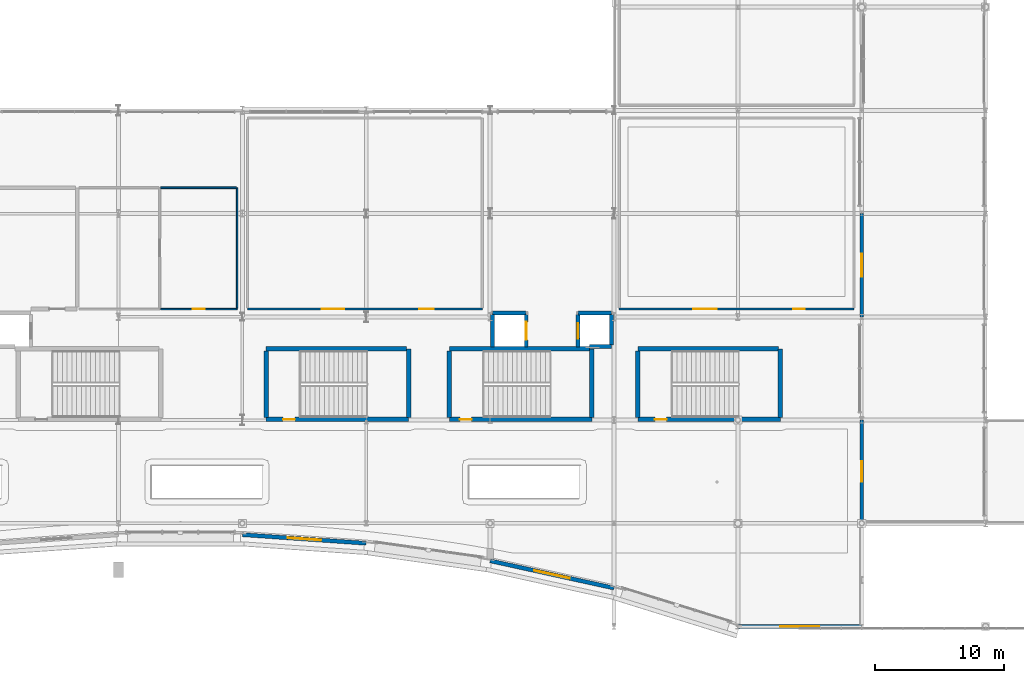
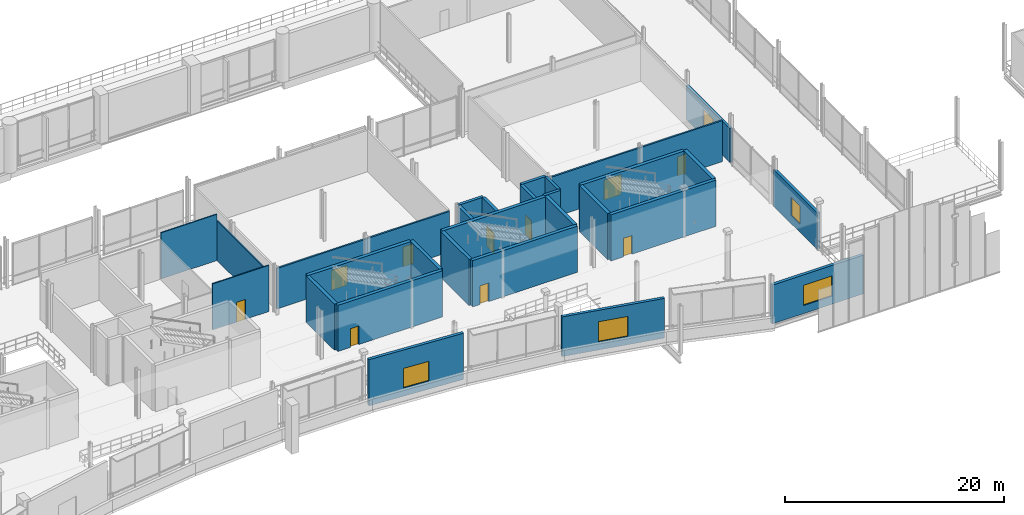
# One storey, part 77 of 129: 29 walls, 10 doors, 5 windows, 15 openings.
"""IFC4 building model written with IfcOpenShell, lengths in metres."""

from ifc_helpers import new_model, si_unit, direction, frame, frame_2d, origin, place, context, subcontext, project, spatial, rectangle, extrude, material, layer, layer_set, type_object, element, fill, save


model = new_model("IFC4")

# Units and contexts
model_context = context("Model", 3, precision=1e-05, world=origin(), true_north=direction((0.0, 1.0)))
body_context = subcontext(model_context, "Body", "Model", "MODEL_VIEW")
ifc_project = project(units=[si_unit("LENGTHUNIT", "METRE"), si_unit("AREAUNIT", "SQUARE_METRE"), si_unit("VOLUMEUNIT", "CUBIC_METRE"), si_unit("PLANEANGLEUNIT", "RADIAN"), si_unit("MASSUNIT", "GRAM", prefix="KILO")], contexts=[model_context])

# Site, building, storey
site_placement = place(None, origin())
site = spatial("IfcSite", under=ifc_project, at=site_placement, CompositionType="ELEMENT")
building_placement = place(site_placement, origin())
building = spatial("IfcBuilding", under=site, at=building_placement, Name="Danafjord Basin Convention Centre", CompositionType="ELEMENT")
storey_placement = place(building_placement, frame((0.0, 0.0, 6.0)))
storey = spatial("IfcBuildingStorey", under=building, at=storey_placement, Name="L01", CompositionType="ELEMENT", Elevation=6.0)

# Wall
ifc_material_1 = material(Name="Concrete C40/50", Category="concrete")
ifc_layer_1 = layer(ifc_material_1, 0.300048828125)
ifc_layer_set_1 = layer_set([ifc_layer_1], Name="Concrete C40/50")
wall_type_1 = type_object("IfcWallType", Name="WALL-CW-CORE300", PredefinedType="SHEAR", material=ifc_layer_set_1)
wall_1_placement = place(storey_placement, frame((89.199951171875, 24.300048828125, 0.0), z_axis=(0.0, 0.0, 1.0), x_axis=(-1.0, 0.0, 0.0)))
element("IfcWall", 1, at=wall_1_placement, inside=storey, type_object=wall_type_1, Name="Lift LF-FF02 shaft shear wall", PredefinedType="SHEAR", context=body_context, shape_type="SweptSolid", body=[
    extrude(rectangle(XDim=2.599853515625, YDim=0.300048828125, at=frame_2d((1.2998046875, 0.0))), origin(), (0.0, 0.0, 1.0), 5.14990234375),
])

# Wall, opening, door
wall_2_placement = place(storey_placement, frame((89.199951171875, 21.6650390625, 0.0), z_axis=(0.0, 0.0, 1.0), x_axis=(0.0, 1.0, 0.0)))
wall_2 = element("IfcWall", 2, at=wall_2_placement, inside=storey, type_object=wall_type_1, Name="Lift LF-FF02 shaft shear wall", PredefinedType="SHEAR", context=body_context, shape_type="SweptSolid", body=[
    extrude(rectangle(XDim=2.5, YDim=0.300048828125, at=frame_2d((1.25, 0.0))), origin(), (0.0, 0.0, 1.0), 5.14990234375),
])
opening_1_placement = place(wall_2_placement, frame((0.550048828125, 0.0, 0.0)))
opening_1 = element("IfcOpeningElement", 3, at=opening_1_placement, cuts=wall_2, Name="Opening LD-F01", PredefinedType="OPENING", context=body_context, shape_type="SweptSolid", body=[
    extrude(rectangle(XDim=1.39990234375, YDim=2.260009765625, at=frame_2d((0.699951171875, 1.1298828125))), frame((0.0, 0.159912109375, 0.0), z_axis=(0.0, -1.0, 0.0), x_axis=(1.0, 0.0, 0.0)), (0.0, 0.0, 1.0), 0.320068359375),
])
ifc_material_2 = material(Name="Brushed stainless steel and acoustic laminated glass", Category="steel")
door_type_1 = type_object("IfcDoorType", Name="DOOR-LD-F01", OperationType="DOUBLE_DOOR_SLIDING", PredefinedType="DOOR", material=ifc_material_2)
door_1_placement = place(opening_1_placement, origin())
door_1 = element("IfcDoor", 4, at=door_1_placement, inside=storey, type_object=door_type_1, Name="Lift LF-FF02 L01 Landing Door", OperationType="DOUBLE_DOOR_SLIDING", OverallHeight=2.260009765625, OverallWidth=1.39990234375, PredefinedType="DOOR", context=body_context, shape_type="SweptSolid", body=[
    extrude(rectangle(XDim=1.39990234375, YDim=2.260009765625, at=frame_2d((0.699951171875, 1.1298828125))), frame((0.0, 0.02490234375, 0.0), z_axis=(0.0, -1.0, 0.0), x_axis=(1.0, 0.0, 0.0)), (0.0, 0.0, 1.0), 0.050048828125),
])
fill(opening_1, door_1)

# Walls
wall_3_placement = place(storey_placement, frame((86.60009765625, 24.1650390625, 0.0), z_axis=(0.0, 0.0, 1.0), x_axis=(0.0, -1.0, 0.0)))
element("IfcWall", 5, at=wall_3_placement, inside=storey, type_object=wall_type_1, Name="Lift LF-FF02 shaft shear wall", PredefinedType="SHEAR", context=body_context, shape_type="SweptSolid", body=[
    extrude(rectangle(XDim=2.5, YDim=0.300048828125, at=frame_2d((1.25, 0.0))), origin(), (0.0, 0.0, 1.0), 5.14990234375),
])
wall_4_placement = place(storey_placement, frame((95.800048828125, 24.300048828125, 0.0), z_axis=(0.0, 0.0, 1.0), x_axis=(-1.0, 0.0, 0.0)))
element("IfcWall", 6, at=wall_4_placement, inside=storey, type_object=wall_type_1, Name="Lift LF-P02 shaft shear wall", PredefinedType="SHEAR", context=body_context, shape_type="SweptSolid", body=[
    extrude(rectangle(XDim=2.60009765625, YDim=0.300048828125, at=frame_2d((1.300048828125, 0.0))), origin(), (0.0, 0.0, 1.0), 5.14990234375),
])
wall_5_placement = place(storey_placement, frame((94.110107421875, 21.699951171875, 0.0), z_axis=(0.0, 0.0, 1.0), x_axis=(1.0, 0.0, 0.0)))
element("IfcWall", 7, at=wall_5_placement, inside=storey, type_object=wall_type_1, Name="Lift LF-P02 shaft shear wall", PredefinedType="SHEAR", context=body_context, shape_type="SweptSolid", body=[
    extrude(rectangle(XDim=1.68994140625, YDim=0.300048828125, at=frame_2d((0.844970703125, 0.0))), origin(), (0.0, 0.0, 1.0), 5.14990234375),
])
wall_6_placement = place(storey_placement, frame((95.800048828125, 21.8349609375, 0.0), z_axis=(0.0, 0.0, 1.0), x_axis=(0.0, 1.0, 0.0)))
element("IfcWall", 8, at=wall_6_placement, inside=storey, type_object=wall_type_1, Name="Lift LF-P02 shaft shear wall", PredefinedType="SHEAR", context=body_context, shape_type="SweptSolid", body=[
    extrude(rectangle(XDim=2.330078125, YDim=0.300048828125, at=frame_2d((1.1650390625, 0.0))), origin(), (0.0, 0.0, 1.0), 5.14990234375),
])

# Wall, opening, door
wall_7_placement = place(storey_placement, frame((93.199951171875, 24.1650390625, 0.0), z_axis=(0.0, 0.0, 1.0), x_axis=(0.0, -1.0, 0.0)))
wall_7 = element("IfcWall", 9, at=wall_7_placement, inside=storey, type_object=wall_type_1, Name="Lift LF-P02 shaft shear wall", PredefinedType="SHEAR", context=body_context, shape_type="SweptSolid", body=[
    extrude(rectangle(XDim=2.5, YDim=0.300048828125, at=frame_2d((1.25, 0.0))), origin(), (0.0, 0.0, 1.0), 5.14990234375),
])
opening_2_placement = place(wall_7_placement, frame((0.64990234375, 0.0, 0.0)))
opening_2 = element("IfcOpeningElement", 10, at=opening_2_placement, cuts=wall_7, Name="Opening LD-P01", PredefinedType="OPENING", context=body_context, shape_type="SweptSolid", body=[
    extrude(rectangle(XDim=1.199951171875, YDim=2.199951171875, at=frame_2d((0.60009765625, 1.10009765625))), frame((0.0, 0.159912109375, 0.0), z_axis=(0.0, -1.0, 0.0), x_axis=(1.0, 0.0, 0.0)), (0.0, 0.0, 1.0), 0.320068359375),
])
door_type_2 = type_object("IfcDoorType", Name="DOOR-LD-P01", OperationType="DOUBLE_DOOR_SLIDING", PredefinedType="DOOR", material=ifc_material_2)
door_2_placement = place(opening_2_placement, origin())
door_2 = element("IfcDoor", 11, at=door_2_placement, inside=storey, type_object=door_type_2, Name="Lift LF-P02 L01 Landing Door", OperationType="DOUBLE_DOOR_SLIDING", OverallHeight=2.199951171875, OverallWidth=1.199951171875, PredefinedType="DOOR", context=body_context, shape_type="SweptSolid", body=[
    extrude(rectangle(XDim=1.199951171875, YDim=2.199951171875, at=frame_2d((0.60009765625, 1.10009765625))), frame((0.0, 0.02490234375, 0.0), z_axis=(0.0, -1.0, 0.0), x_axis=(1.0, 0.0, 0.0)), (0.0, 0.0, 1.0), 0.050048828125),
])
fill(opening_2, door_2)

ifc_material_3 = material(Name="Concrete C45/55", Category="concrete")
ifc_layer_2 = layer(ifc_material_3, 0.35009765625)
ifc_layer_set_2 = layer_set([ifc_layer_2], Name="Concrete C45/55")
wall_type_2 = type_object("IfcWallType", Name="WALL-CW-CORE350", PredefinedType="SHEAR", material=ifc_layer_set_2)
wall_8_placement = place(storey_placement, frame((83.25, 16.050048828125, 0.0), z_axis=(0.0, 0.0, 1.0), x_axis=(1.0, 0.0, 0.0)))
wall_8 = element("IfcWall", 12, at=wall_8_placement, inside=storey, type_object=wall_type_2, Name="Central Harbour Core Stair 1 core shear wall (south)", PredefinedType="SHEAR", context=body_context, shape_type="SweptSolid", body=[
    extrude(rectangle(XDim=11.0400390625, YDim=0.35009765625, at=frame_2d((5.52001953125, 0.0))), origin(), (0.0, 0.0, 1.0), 5.14990234375),
])
opening_3_placement = place(wall_8_placement, frame((0.805908203125, 0.0, 0.0)))
opening_3 = element("IfcOpeningElement", 13, at=opening_3_placement, cuts=wall_8, Name="Opening FD-S01", PredefinedType="OPENING", context=body_context, shape_type="SweptSolid", body=[
    extrude(rectangle(XDim=0.909912109375, YDim=2.080078125, at=frame_2d((0.455078125, 1.0400390625))), frame((0.0, 0.18505859375, 0.0), z_axis=(0.0, -1.0, 0.0), x_axis=(1.0, 0.0, 0.0)), (0.0, 0.0, 1.0), 0.3701171875),
])
ifc_material_4 = material(Name="Powder-coated steel and Nordic oak", Category="steel")
door_type_3 = type_object("IfcDoorType", Name="DOOR-FD-S01", OperationType="NOTDEFINED", PredefinedType="DOOR", material=ifc_material_4)
door_3_placement = place(opening_3_placement, origin())
door_3 = element("IfcDoor", 14, at=door_3_placement, inside=storey, type_object=door_type_3, Name="Central Harbour Core Stair 1 L01 Fire Exit Door", OperationType="SINGLE_SWING_LEFT", OverallHeight=2.080078125, OverallWidth=0.909912109375, PredefinedType="DOOR", context=body_context, shape_type="SweptSolid", body=[
    extrude(rectangle(XDim=0.909912109375, YDim=2.080078125, at=frame_2d((0.455078125, 1.0400390625))), frame((0.0, 0.02490234375, 0.0), z_axis=(0.0, -1.0, 0.0), x_axis=(1.0, 0.0, 0.0)), (0.0, 0.0, 1.0), 0.050048828125),
])
fill(opening_3, door_3)

# Walls
wall_9_placement = place(storey_placement, frame((94.2900390625, 16.2099609375, 0.0), z_axis=(0.0, 0.0, 1.0), x_axis=(0.0, 1.0, 0.0)))
element("IfcWall", 15, at=wall_9_placement, inside=storey, type_object=wall_type_2, Name="Central Harbour Core Stair 1 core shear wall (east)", PredefinedType="SHEAR", context=body_context, shape_type="SweptSolid", body=[
    extrude(rectangle(XDim=5.300048828125, YDim=0.35009765625, at=frame_2d((2.64990234375, 0.0))), origin(), (0.0, 0.0, 1.0), 5.14990234375),
])
wall_10_placement = place(storey_placement, frame((94.1298828125, 21.510009765625, 0.0), z_axis=(0.0, 0.0, 1.0), x_axis=(-1.0, 0.0, 0.0)))
element("IfcWall", 16, at=wall_10_placement, inside=storey, type_object=wall_type_2, Name="Central Harbour Core Stair 1 core shear wall (north)", PredefinedType="SHEAR", context=body_context, shape_type="SweptSolid", body=[
    extrude(rectangle(XDim=10.8798828125, YDim=0.35009765625, at=frame_2d((5.43994140625, 0.0))), origin(), (0.0, 0.0, 1.0), 5.14990234375),
])
wall_11_placement = place(storey_placement, frame((83.25, 21.35009765625, 0.0), z_axis=(0.0, 0.0, 1.0), x_axis=(0.0, -1.0, 0.0)))
element("IfcWall", 17, at=wall_11_placement, inside=storey, type_object=wall_type_2, Name="Central Harbour Core Stair 1 core shear wall (west)", PredefinedType="SHEAR", context=body_context, shape_type="SweptSolid", body=[
    extrude(rectangle(XDim=5.14013671875, YDim=0.35009765625, at=frame_2d((2.570068359375, 0.0))), origin(), (0.0, 0.0, 1.0), 5.14990234375),
])

# Wall, opening, door
wall_12_placement = place(storey_placement, frame((97.85009765625, 16.050048828125, 0.0), z_axis=(0.0, 0.0, 1.0), x_axis=(1.0, 0.0, 0.0)))
wall_12 = element("IfcWall", 18, at=wall_12_placement, inside=storey, type_object=wall_type_2, Name="East Harbour Escape Stair 2 core shear wall (south)", PredefinedType="SHEAR", context=body_context, shape_type="SweptSolid", body=[
    extrude(rectangle(XDim=11.039794921875, YDim=0.35009765625, at=frame_2d((5.52001953125, 0.0))), origin(), (0.0, 0.0, 1.0), 5.14990234375),
])
opening_4_placement = place(wall_12_placement, frame((1.31201171875, 0.0, 0.0)))
opening_4 = element("IfcOpeningElement", 19, at=opening_4_placement, cuts=wall_12, Name="Opening FD-S01", PredefinedType="OPENING", context=body_context, shape_type="SweptSolid", body=[
    extrude(rectangle(XDim=0.909912109375, YDim=2.080078125, at=frame_2d((0.455078125, 1.0400390625))), frame((0.0, 0.18505859375, 0.0), z_axis=(0.0, -1.0, 0.0), x_axis=(1.0, 0.0, 0.0)), (0.0, 0.0, 1.0), 0.3701171875),
])
door_4_placement = place(opening_4_placement, origin())
door_4 = element("IfcDoor", 20, at=door_4_placement, inside=storey, type_object=door_type_3, Name="East Harbour Escape Stair 2 L01 Fire Exit Door", OperationType="SINGLE_SWING_LEFT", OverallHeight=2.080078125, OverallWidth=0.909912109375, PredefinedType="DOOR", context=body_context, shape_type="SweptSolid", body=[
    extrude(rectangle(XDim=0.909912109375, YDim=2.080078125, at=frame_2d((0.455078125, 1.0400390625))), frame((0.0, 0.02490234375, 0.0), z_axis=(0.0, -1.0, 0.0), x_axis=(1.0, 0.0, 0.0)), (0.0, 0.0, 1.0), 0.050048828125),
])
fill(opening_4, door_4)

# Walls
wall_13_placement = place(storey_placement, frame((108.889892578125, 16.2099609375, 0.0), z_axis=(0.0, 0.0, 1.0), x_axis=(0.0, 1.0, 0.0)))
element("IfcWall", 21, at=wall_13_placement, inside=storey, type_object=wall_type_2, Name="East Harbour Escape Stair 2 core shear wall (east)", PredefinedType="SHEAR", context=body_context, shape_type="SweptSolid", body=[
    extrude(rectangle(XDim=5.300048828125, YDim=0.35009765625, at=frame_2d((2.64990234375, 0.0))), origin(), (0.0, 0.0, 1.0), 5.14990234375),
])
wall_14_placement = place(storey_placement, frame((108.72998046875, 21.510009765625, 0.0), z_axis=(0.0, 0.0, 1.0), x_axis=(-1.0, 0.0, 0.0)))
element("IfcWall", 22, at=wall_14_placement, inside=storey, type_object=wall_type_2, Name="East Harbour Escape Stair 2 core shear wall (north)", PredefinedType="SHEAR", context=body_context, shape_type="SweptSolid", body=[
    extrude(rectangle(XDim=10.8798828125, YDim=0.35009765625, at=frame_2d((5.43994140625, 0.0))), origin(), (0.0, 0.0, 1.0), 5.14990234375),
])
wall_15_placement = place(storey_placement, frame((97.85009765625, 21.35009765625, 0.0), z_axis=(0.0, 0.0, 1.0), x_axis=(0.0, -1.0, 0.0)))
element("IfcWall", 23, at=wall_15_placement, inside=storey, type_object=wall_type_2, Name="East Harbour Escape Stair 2 core shear wall (west)", PredefinedType="SHEAR", context=body_context, shape_type="SweptSolid", body=[
    extrude(rectangle(XDim=5.14013671875, YDim=0.35009765625, at=frame_2d((2.570068359375, 0.0))), origin(), (0.0, 0.0, 1.0), 5.14990234375),
])

# Wall, opening, door
wall_16_placement = place(storey_placement, frame((69.050048828125, 16.050048828125, 0.0), z_axis=(0.0, 0.0, 1.0), x_axis=(1.0, 0.0, 0.0)))
wall_16 = element("IfcWall", 24, at=wall_16_placement, inside=storey, type_object=wall_type_2, Name="Mid-Arc Escape Stair 2 core shear wall (south)", PredefinedType="SHEAR", context=body_context, shape_type="SweptSolid", body=[
    extrude(rectangle(XDim=11.0400390625, YDim=0.35009765625, at=frame_2d((5.52001953125, 0.0))), origin(), (0.0, 0.0, 1.0), 5.14990234375),
])
opening_5_placement = place(wall_16_placement, frame((1.31201171875, 0.0, 0.0)))
opening_5 = element("IfcOpeningElement", 25, at=opening_5_placement, cuts=wall_16, Name="Opening FD-S01", PredefinedType="OPENING", context=body_context, shape_type="SweptSolid", body=[
    extrude(rectangle(XDim=0.909912109375, YDim=2.080078125, at=frame_2d((0.455078125, 1.0400390625))), frame((0.0, 0.18505859375, 0.0), z_axis=(0.0, -1.0, 0.0), x_axis=(1.0, 0.0, 0.0)), (0.0, 0.0, 1.0), 0.3701171875),
])
door_5_placement = place(opening_5_placement, origin())
door_5 = element("IfcDoor", 26, at=door_5_placement, inside=storey, type_object=door_type_3, Name="Mid-Arc Escape Stair 2 L01 Fire Exit Door", OperationType="SINGLE_SWING_RIGHT", OverallHeight=2.080078125, OverallWidth=0.909912109375, PredefinedType="DOOR", context=body_context, shape_type="SweptSolid", body=[
    extrude(rectangle(XDim=0.909912109375, YDim=2.080078125, at=frame_2d((0.455078125, 1.0400390625))), frame((0.0, 0.02490234375, 0.0), z_axis=(0.0, -1.0, 0.0), x_axis=(1.0, 0.0, 0.0)), (0.0, 0.0, 1.0), 0.050048828125),
])
fill(opening_5, door_5)

# Walls
wall_17_placement = place(storey_placement, frame((80.090087890625, 16.2099609375, 0.0), z_axis=(0.0, 0.0, 1.0), x_axis=(0.0, 1.0, 0.0)))
element("IfcWall", 27, at=wall_17_placement, inside=storey, type_object=wall_type_2, Name="Mid-Arc Escape Stair 2 core shear wall (east)", PredefinedType="SHEAR", context=body_context, shape_type="SweptSolid", body=[
    extrude(rectangle(XDim=5.300048828125, YDim=0.35009765625, at=frame_2d((2.64990234375, 0.0))), origin(), (0.0, 0.0, 1.0), 5.14990234375),
])
wall_18_placement = place(storey_placement, frame((79.929931640625, 21.510009765625, 0.0), z_axis=(0.0, 0.0, 1.0), x_axis=(-1.0, 0.0, 0.0)))
element("IfcWall", 28, at=wall_18_placement, inside=storey, type_object=wall_type_2, Name="Mid-Arc Escape Stair 2 core shear wall (north)", PredefinedType="SHEAR", context=body_context, shape_type="SweptSolid", body=[
    extrude(rectangle(XDim=10.8798828125, YDim=0.35009765625, at=frame_2d((5.43994140625, 0.0))), origin(), (0.0, 0.0, 1.0), 5.14990234375),
])
wall_19_placement = place(storey_placement, frame((69.050048828125, 21.35009765625, 0.0), z_axis=(0.0, 0.0, 1.0), x_axis=(0.0, -1.0, 0.0)))
element("IfcWall", 29, at=wall_19_placement, inside=storey, type_object=wall_type_2, Name="Mid-Arc Escape Stair 2 core shear wall (west)", PredefinedType="SHEAR", context=body_context, shape_type="SweptSolid", body=[
    extrude(rectangle(XDim=5.14013671875, YDim=0.35009765625, at=frame_2d((2.570068359375, 0.0))), origin(), (0.0, 0.0, 1.0), 5.14990234375),
])

# Wall, opening, window
ifc_material_5 = material(Name="Precast concrete C40/50", Category="concrete")
ifc_layer_3 = layer(ifc_material_5, 0.31005859375)
ifc_layer_set_3 = layer_set([ifc_layer_3], Name="Precast concrete C40/50")
wall_type_3 = type_object("IfcWallType", Name="WALL-EW-PC300", PredefinedType="SOLIDWALL", material=ifc_layer_set_3)
wall_20_placement = place(storey_placement, frame((67.199951171875, 7.116943359375, 0.0), z_axis=(0.0, 0.0, 1.0), x_axis=(0.99760914447, -0.069108573052, 0.0)))
wall_20 = element("IfcWall", 30, at=wall_20_placement, inside=storey, type_object=wall_type_3, Name="L01 harbourfront precast facade bay 8", PredefinedType="SOLIDWALL", context=body_context, shape_type="SweptSolid", body=[
    extrude(rectangle(XDim=9.623046875, YDim=0.31005859375, at=frame_2d((4.8115234375, 0.0))), origin(), (0.0, 0.0, 1.0), 5.14990234375),
])
opening_6_placement = place(wall_20_placement, frame((3.511962890625, 0.0, 0.89990234375)))
opening_6 = element("IfcOpeningElement", 31, at=opening_6_placement, cuts=wall_20, Name="Opening WN-08", PredefinedType="OPENING", context=body_context, shape_type="SweptSolid", body=[
    extrude(rectangle(XDim=2.60009765625, YDim=2.199951171875, at=frame_2d((1.300048828125, 1.10009765625))), frame((0.0, 0.1650390625, 0.0), z_axis=(0.0, -1.0, 0.0), x_axis=(1.0, 0.0, 0.0)), (0.0, 0.0, 1.0), 0.330078125),
])
ifc_material_6 = material(Name="Thermally broken aluminium and triple low-E glass", Category="aluminium")
window_type_1 = type_object("IfcWindowType", Name="WIN-WN-08", PartitioningType="SINGLE_PANEL", PredefinedType="WINDOW", material=ifc_material_6)
window_1_placement = place(opening_6_placement, origin())
window_1 = element("IfcWindow", 32, at=window_1_placement, inside=storey, type_object=window_type_1, Name="L01 harbour window WN-08", OverallHeight=2.199951171875, OverallWidth=2.60009765625, PartitioningType="SINGLE_PANEL", PredefinedType="WINDOW", context=body_context, shape_type="SweptSolid", body=[
    extrude(rectangle(XDim=2.60009765625, YDim=2.199951171875, at=frame_2d((1.300048828125, 1.10009765625))), frame((0.0, 0.030029296875, 0.0), z_axis=(0.0, -1.0, 0.0), x_axis=(1.0, 0.0, 0.0)), (0.0, 0.0, 1.0), 0.06005859375),
])
fill(opening_6, window_1)

wall_21_placement = place(storey_placement, frame((86.39990234375, 5.093017578125, 0.0), z_axis=(0.0, 0.0, 1.0), x_axis=(0.976622780686, -0.214960331795, 0.0)))
wall_21 = element("IfcWall", 33, at=wall_21_placement, inside=storey, type_object=wall_type_3, Name="L01 harbourfront precast facade bay 10", PredefinedType="SOLIDWALL", context=body_context, shape_type="SweptSolid", body=[
    extrude(rectangle(XDim=9.829833984375, YDim=0.31005859375, at=frame_2d((4.9150390625, 0.0))), origin(), (0.0, 0.0, 1.0), 4.419921875),
])
opening_7_placement = place(wall_21_placement, frame((3.514892578125, 0.0, 0.89990234375)))
opening_7 = element("IfcOpeningElement", 34, at=opening_7_placement, cuts=wall_21, Name="Opening WN-09", PredefinedType="OPENING", context=body_context, shape_type="SweptSolid", body=[
    extrude(rectangle(XDim=2.800048828125, YDim=2.25, at=frame_2d((1.39990234375, 1.125))), frame((0.0, 0.1650390625, 0.0), z_axis=(0.0, -1.0, 0.0), x_axis=(1.0, 0.0, 0.0)), (0.0, 0.0, 1.0), 0.330078125),
])
window_type_2 = type_object("IfcWindowType", Name="WIN-WN-09", PartitioningType="SINGLE_PANEL", PredefinedType="WINDOW", material=ifc_material_6)
window_2_placement = place(opening_7_placement, origin())
window_2 = element("IfcWindow", 35, at=window_2_placement, inside=storey, type_object=window_type_2, Name="L01 harbour window WN-09", OverallHeight=2.25, OverallWidth=2.800048828125, PartitioningType="SINGLE_PANEL", PredefinedType="WINDOW", context=body_context, shape_type="SweptSolid", body=[
    extrude(rectangle(XDim=2.800048828125, YDim=2.25, at=frame_2d((1.39990234375, 1.125))), frame((0.0, 0.030029296875, 0.0), z_axis=(0.0, -1.0, 0.0), x_axis=(1.0, 0.0, 0.0)), (0.0, 0.0, 1.0), 0.06005859375),
])
fill(opening_7, window_2)

wall_22_placement = place(storey_placement, frame((105.60009765625, 0.0, 0.0), z_axis=(0.0, 0.0, 1.0), x_axis=(1.0, 0.0, 0.0)))
wall_22 = element("IfcWall", 36, at=wall_22_placement, inside=storey, type_object=wall_type_3, Name="L01 harbourfront precast facade bay 12", PredefinedType="SOLIDWALL", context=body_context, shape_type="SweptSolid", body=[
    extrude(rectangle(XDim=9.599853515625, YDim=0.31005859375, at=frame_2d((4.7998046875, 0.0))), origin(), (0.0, 0.0, 1.0), 4.320068359375),
])
opening_8_placement = place(wall_22_placement, frame((3.300048828125, 0.0, 0.89990234375)))
opening_8 = element("IfcOpeningElement", 37, at=opening_8_placement, cuts=wall_22, Name="Opening WN-10", PredefinedType="OPENING", context=body_context, shape_type="SweptSolid", body=[
    extrude(rectangle(XDim=3.0, YDim=2.25, at=frame_2d((1.5, 1.125))), frame((0.0, 0.1650390625, 0.0), z_axis=(0.0, -1.0, 0.0), x_axis=(1.0, 0.0, 0.0)), (0.0, 0.0, 1.0), 0.330078125),
])
window_type_3 = type_object("IfcWindowType", Name="WIN-WN-10", PartitioningType="SINGLE_PANEL", PredefinedType="WINDOW", material=ifc_material_6)
window_3_placement = place(opening_8_placement, origin())
window_3 = element("IfcWindow", 38, at=window_3_placement, inside=storey, type_object=window_type_3, Name="L01 harbour window WN-10", OverallHeight=2.25, OverallWidth=3.0, PartitioningType="SINGLE_PANEL", PredefinedType="WINDOW", context=body_context, shape_type="SweptSolid", body=[
    extrude(rectangle(XDim=3.0, YDim=2.25, at=frame_2d((1.5, 1.125))), frame((0.0, 0.030029296875, 0.0), z_axis=(0.0, -1.0, 0.0), x_axis=(1.0, 0.0, 0.0)), (0.0, 0.0, 1.0), 0.06005859375),
])
fill(opening_8, window_3)

ifc_material_7 = material(Name="Concrete C35/45", Category="concrete")
ifc_layer_4 = layer(ifc_material_7, 0.260009765625)
ifc_layer_set_4 = layer_set([ifc_layer_4], Name="Concrete C35/45")
wall_type_4 = type_object("IfcWallType", Name="WALL-EW-STD260", PredefinedType="STANDARD", material=ifc_layer_set_4)
wall_23_placement = place(storey_placement, frame((115.199951171875, 8.0, 0.0), z_axis=(0.0, 0.0, 1.0), x_axis=(0.0, 1.0, 0.0)))
wall_23 = element("IfcWall", 39, at=wall_23_placement, inside=storey, type_object=wall_type_4, Name="L01 E wing facade wall", PredefinedType="STANDARD", context=body_context, shape_type="SweptSolid", body=[
    extrude(rectangle(XDim=8.0, YDim=0.260009765625, at=frame_2d((4.0, 0.0))), origin(), (0.0, 0.0, 1.0), 4.10498046875),
])
opening_9_placement = place(wall_23_placement, frame((3.199951171875, 0.0, 0.89990234375)))
opening_9 = element("IfcOpeningElement", 40, at=opening_9_placement, cuts=wall_23, Name="Opening WN-03", PredefinedType="OPENING", context=body_context, shape_type="SweptSolid", body=[
    extrude(rectangle(XDim=1.60009765625, YDim=2.0, at=frame_2d((0.800048828125, 1.0))), frame((0.0, 0.139892578125, 0.0), z_axis=(0.0, -1.0, 0.0), x_axis=(1.0, 0.0, 0.0)), (0.0, 0.0, 1.0), 0.280029296875),
])
window_type_4 = type_object("IfcWindowType", Name="WIN-WN-03", PartitioningType="SINGLE_PANEL", PredefinedType="WINDOW", material=ifc_material_6)
window_4_placement = place(opening_9_placement, origin())
window_4 = element("IfcWindow", 41, at=window_4_placement, inside=storey, type_object=window_type_4, Name="L01 E window WN-03", OverallHeight=2.0, OverallWidth=1.60009765625, PartitioningType="SINGLE_PANEL", PredefinedType="WINDOW", context=body_context, shape_type="SweptSolid", body=[
    extrude(rectangle(XDim=1.60009765625, YDim=2.0, at=frame_2d((0.800048828125, 1.0))), frame((0.0, 0.030029296875, 0.0), z_axis=(0.0, -1.0, 0.0), x_axis=(1.0, 0.0, 0.0)), (0.0, 0.0, 1.0), 0.06005859375),
])
fill(opening_9, window_4)

wall_24_placement = place(storey_placement, frame((115.199951171875, 24.0, 0.0), z_axis=(0.0, 0.0, 1.0), x_axis=(0.0, 1.0, 0.0)))
wall_24 = element("IfcWall", 42, at=wall_24_placement, inside=storey, type_object=wall_type_4, Name="L01 E wing facade wall", PredefinedType="STANDARD", context=body_context, shape_type="SweptSolid", body=[
    extrude(rectangle(XDim=8.0, YDim=0.260009765625, at=frame_2d((4.0, 0.0))), origin(), (0.0, 0.0, 1.0), 3.804931640625),
])
opening_10_placement = place(wall_24_placement, frame((3.10009765625, 0.0, 0.89990234375)))
opening_10 = element("IfcOpeningElement", 43, at=opening_10_placement, cuts=wall_24, Name="Opening WN-04", PredefinedType="OPENING", context=body_context, shape_type="SweptSolid", body=[
    extrude(rectangle(XDim=1.800048828125, YDim=2.10009765625, at=frame_2d((0.89990234375, 1.050048828125))), frame((0.0, 0.139892578125, 0.0), z_axis=(0.0, -1.0, 0.0), x_axis=(1.0, 0.0, 0.0)), (0.0, 0.0, 1.0), 0.280029296875),
])
window_type_5 = type_object("IfcWindowType", Name="WIN-WN-04", PartitioningType="SINGLE_PANEL", PredefinedType="WINDOW", material=ifc_material_6)
window_5_placement = place(opening_10_placement, origin())
window_5 = element("IfcWindow", 44, at=window_5_placement, inside=storey, type_object=window_type_5, Name="L01 E window WN-04", OverallHeight=2.10009765625, OverallWidth=1.800048828125, PartitioningType="SINGLE_PANEL", PredefinedType="WINDOW", context=body_context, shape_type="SweptSolid", body=[
    extrude(rectangle(XDim=1.800048828125, YDim=2.10009765625, at=frame_2d((0.89990234375, 1.050048828125))), frame((0.0, 0.030029296875, 0.0), z_axis=(0.0, -1.0, 0.0), x_axis=(1.0, 0.0, 0.0)), (0.0, 0.0, 1.0), 0.06005859375),
])
fill(opening_10, window_5)

# Wall, openings, doors
ifc_material_8 = material(Name="Acoustic double-board gypsum stud partition")
ifc_layer_5 = layer(ifc_material_8, 0.175048828125)
ifc_layer_set_5 = layer_set([ifc_layer_5], Name="Acoustic double-board gypsum stud partition")
wall_type_5 = type_object("IfcWallType", Name="WALL-PT-AC175", PredefinedType="PARTITIONING", material=ifc_layer_set_5)
wall_25_placement = place(storey_placement, frame((67.60009765625, 24.60009765625, 0.0), z_axis=(0.0, 0.0, 1.0), x_axis=(1.0, 0.0, 0.0)))
wall_25 = element("IfcWall", 45, at=wall_25_placement, inside=storey, type_object=wall_type_5, Name="Breakout Seminar Room M103 south partition", PredefinedType="PARTITIONING", context=body_context, shape_type="SweptSolid", body=[
    extrude(rectangle(XDim=18.199951171875, YDim=0.175048828125, at=frame_2d((9.10009765625, 0.0))), origin(), (0.0, 0.0, 1.0), 4.52001953125),
])
opening_11_placement = place(wall_25_placement, frame((5.76806640625, 0.0, 0.0)))
opening_11 = element("IfcOpeningElement", 46, at=opening_11_placement, cuts=wall_25, Name="Opening FD-D03", PredefinedType="OPENING", context=body_context, shape_type="SweptSolid", body=[
    extrude(rectangle(XDim=1.719970703125, YDim=2.239990234375, at=frame_2d((0.85986328125, 1.1201171875))), frame((0.0, 0.097412109375, 0.0), z_axis=(0.0, -1.0, 0.0), x_axis=(1.0, 0.0, 0.0)), (0.0, 0.0, 1.0), 0.195068359375),
])
opening_12_placement = place(wall_25_placement, frame((13.322021484375, 0.0, 0.0)))
opening_12 = element("IfcOpeningElement", 47, at=opening_12_placement, cuts=wall_25, Name="Opening FD-S08", PredefinedType="OPENING", context=body_context, shape_type="SweptSolid", body=[
    extrude(rectangle(XDim=1.1201171875, YDim=2.199951171875, at=frame_2d((0.56005859375, 1.10009765625))), frame((0.0, 0.097412109375, 0.0), z_axis=(0.0, -1.0, 0.0), x_axis=(1.0, 0.0, 0.0)), (0.0, 0.0, 1.0), 0.195068359375),
])
door_type_4 = type_object("IfcDoorType", Name="DOOR-FD-D03", OperationType="DOUBLE_DOOR_SINGLE_SWING", PredefinedType="DOOR", material=ifc_material_2)
door_6_placement = place(opening_11_placement, origin())
door_6 = element("IfcDoor", 48, at=door_6_placement, inside=storey, type_object=door_type_4, Name="Breakout Seminar Room M103 Entrance Door", OperationType="DOUBLE_DOOR_SINGLE_SWING", OverallHeight=2.239990234375, OverallWidth=1.719970703125, PredefinedType="DOOR", context=body_context, shape_type="SweptSolid", body=[
    extrude(rectangle(XDim=1.719970703125, YDim=2.239990234375, at=frame_2d((0.85986328125, 1.1201171875))), frame((0.0, 0.02490234375, 0.0), z_axis=(0.0, -1.0, 0.0), x_axis=(1.0, 0.0, 0.0)), (0.0, 0.0, 1.0), 0.050048828125),
])
fill(opening_11, door_6)
door_type_5 = type_object("IfcDoorType", Name="DOOR-FD-S08", OperationType="NOTDEFINED", PredefinedType="DOOR", material=ifc_material_4)
door_7_placement = place(opening_12_placement, origin())
door_7 = element("IfcDoor", 49, at=door_7_placement, inside=storey, type_object=door_type_5, Name="Breakout Seminar Room M103 Secondary Exit Door", OperationType="SINGLE_SWING_LEFT", OverallHeight=2.199951171875, OverallWidth=1.1201171875, PredefinedType="DOOR", context=body_context, shape_type="SweptSolid", body=[
    extrude(rectangle(XDim=1.1201171875, YDim=2.199951171875, at=frame_2d((0.56005859375, 1.10009765625))), frame((0.0, 0.02490234375, 0.0), z_axis=(0.0, -1.0, 0.0), x_axis=(1.0, 0.0, 0.0)), (0.0, 0.0, 1.0), 0.050048828125),
])
fill(opening_12, door_7)

wall_26_placement = place(storey_placement, frame((96.39990234375, 24.60009765625, 0.0), z_axis=(0.0, 0.0, 1.0), x_axis=(1.0, 0.0, 0.0)))
wall_26 = element("IfcWall", 50, at=wall_26_placement, inside=storey, type_object=wall_type_5, Name="Breakout Seminar Room M104 south partition", PredefinedType="PARTITIONING", context=body_context, shape_type="SweptSolid", body=[
    extrude(rectangle(XDim=18.2001953125, YDim=0.175048828125, at=frame_2d((9.10009765625, 0.0))), origin(), (0.0, 0.0, 1.0), 4.570068359375),
])
opening_13_placement = place(wall_26_placement, frame((5.73291015625, 0.0, 0.0)))
opening_13 = element("IfcOpeningElement", 51, at=opening_13_placement, cuts=wall_26, Name="Opening FD-D04", PredefinedType="OPENING", context=body_context, shape_type="SweptSolid", body=[
    extrude(rectangle(XDim=1.820068359375, YDim=2.260009765625, at=frame_2d((0.91015625, 1.1298828125))), frame((0.0, 0.097412109375, 0.0), z_axis=(0.0, -1.0, 0.0), x_axis=(1.0, 0.0, 0.0)), (0.0, 0.0, 1.0), 0.195068359375),
])
opening_14_placement = place(wall_26_placement, frame((13.47802734375, 0.0, 0.0)))
opening_14 = element("IfcOpeningElement", 52, at=opening_14_placement, cuts=wall_26, Name="Opening FD-S09", PredefinedType="OPENING", context=body_context, shape_type="SweptSolid", body=[
    extrude(rectangle(XDim=0.919921875, YDim=2.14990234375, at=frame_2d((0.4599609375, 1.074951171875))), frame((0.0, 0.097412109375, 0.0), z_axis=(0.0, -1.0, 0.0), x_axis=(1.0, 0.0, 0.0)), (0.0, 0.0, 1.0), 0.195068359375),
])
door_type_6 = type_object("IfcDoorType", Name="DOOR-FD-D04", OperationType="DOUBLE_DOOR_SINGLE_SWING", PredefinedType="DOOR", material=ifc_material_2)
door_8_placement = place(opening_13_placement, origin())
door_8 = element("IfcDoor", 53, at=door_8_placement, inside=storey, type_object=door_type_6, Name="Breakout Seminar Room M104 Entrance Door", OperationType="DOUBLE_DOOR_SINGLE_SWING", OverallHeight=2.260009765625, OverallWidth=1.820068359375, PredefinedType="DOOR", context=body_context, shape_type="SweptSolid", body=[
    extrude(rectangle(XDim=1.820068359375, YDim=2.260009765625, at=frame_2d((0.91015625, 1.1298828125))), frame((0.0, 0.02490234375, 0.0), z_axis=(0.0, -1.0, 0.0), x_axis=(1.0, 0.0, 0.0)), (0.0, 0.0, 1.0), 0.050048828125),
])
fill(opening_13, door_8)
door_type_7 = type_object("IfcDoorType", Name="DOOR-FD-S09", OperationType="NOTDEFINED", PredefinedType="DOOR", material=ifc_material_4)
door_9_placement = place(opening_14_placement, origin())
door_9 = element("IfcDoor", 54, at=door_9_placement, inside=storey, type_object=door_type_7, Name="Breakout Seminar Room M104 Secondary Exit Door", OperationType="SINGLE_SWING_RIGHT", OverallHeight=2.14990234375, OverallWidth=0.919921875, PredefinedType="DOOR", context=body_context, shape_type="SweptSolid", body=[
    extrude(rectangle(XDim=0.919921875, YDim=2.14990234375, at=frame_2d((0.4599609375, 1.074951171875))), frame((0.0, 0.02490234375, 0.0), z_axis=(0.0, -1.0, 0.0), x_axis=(1.0, 0.0, 0.0)), (0.0, 0.0, 1.0), 0.050048828125),
])
fill(opening_14, door_9)

# Wall, opening, door
ifc_material_9 = material(Name="Moisture-resistant gypsum stud partition")
ifc_layer_6 = layer(ifc_material_9, 0.1201171875)
ifc_layer_set_6 = layer_set([ifc_layer_6], Name="Moisture-resistant gypsum stud partition")
wall_type_6 = type_object("IfcWallType", Name="WALL-PT-ST120", PredefinedType="PARTITIONING", material=ifc_layer_set_6)
wall_27_placement = place(storey_placement, frame((60.864013671875, 24.60009765625, 0.0), z_axis=(0.0, 0.0, 1.0), x_axis=(1.0, 0.0, 0.0)))
wall_27 = element("IfcWall", 55, at=wall_27_placement, inside=storey, type_object=wall_type_6, Name="Level 1 Accessible WC south partition", PredefinedType="PARTITIONING", context=body_context, shape_type="SweptSolid", body=[
    extrude(rectangle(XDim=5.93603515625, YDim=0.1201171875, at=frame_2d((2.968017578125, 0.0))), origin(), (0.0, 0.0, 1.0), 5.14990234375),
])
opening_15_placement = place(wall_27_placement, frame((2.5029296875, 0.0, 0.0)))
opening_15 = element("IfcOpeningElement", 56, at=opening_15_placement, cuts=wall_27, Name="Opening FD-S21", PredefinedType="OPENING", context=body_context, shape_type="SweptSolid", body=[
    extrude(rectangle(XDim=0.929931640625, YDim=2.219970703125, at=frame_2d((0.46484375, 1.10986328125))), frame((0.0, 0.070068359375, 0.0), z_axis=(0.0, -1.0, 0.0), x_axis=(1.0, 0.0, 0.0)), (0.0, 0.0, 1.0), 0.14013671875),
])
door_type_8 = type_object("IfcDoorType", Name="DOOR-FD-S21", OperationType="NOTDEFINED", PredefinedType="DOOR", material=ifc_material_4)
door_10_placement = place(opening_15_placement, origin())
door_10 = element("IfcDoor", 57, at=door_10_placement, inside=storey, type_object=door_type_8, Name="Level 1 Accessible WC Entrance Door", OperationType="SINGLE_SWING_LEFT", OverallHeight=2.219970703125, OverallWidth=0.929931640625, PredefinedType="DOOR", context=body_context, shape_type="SweptSolid", body=[
    extrude(rectangle(XDim=0.929931640625, YDim=2.219970703125, at=frame_2d((0.46484375, 1.10986328125))), frame((0.0, 0.02490234375, 0.0), z_axis=(0.0, -1.0, 0.0), x_axis=(1.0, 0.0, 0.0)), (0.0, 0.0, 1.0), 0.050048828125),
])
fill(opening_15, door_10)

# Walls
wall_28_placement = place(storey_placement, frame((66.800048828125, 24.6640625, 0.0), z_axis=(0.0, 0.0, 1.0), x_axis=(0.0, 1.0, 0.0)))
element("IfcWall", 58, at=wall_28_placement, inside=storey, type_object=wall_type_6, Name="Level 1 Accessible WC east partition", PredefinedType="PARTITIONING", context=body_context, shape_type="SweptSolid", body=[
    extrude(rectangle(XDim=9.3359375, YDim=0.1201171875, at=frame_2d((4.66796875, 0.0))), origin(), (0.0, 0.0, 1.0), 4.419921875),
])
wall_29_placement = place(storey_placement, frame((66.736083984375, 34.0, 0.0), z_axis=(0.0, 0.0, 1.0), x_axis=(-1.0, 0.0, 0.0)))
element("IfcWall", 59, at=wall_29_placement, inside=storey, type_object=wall_type_6, Name="Level 1 Accessible WC north partition", PredefinedType="PARTITIONING", context=body_context, shape_type="SweptSolid", body=[
    extrude(rectangle(XDim=5.8720703125, YDim=0.1201171875, at=frame_2d((2.93603515625, 0.0))), origin(), (0.0, 0.0, 1.0), 5.14990234375),
])

save(model, "model.ifc")
